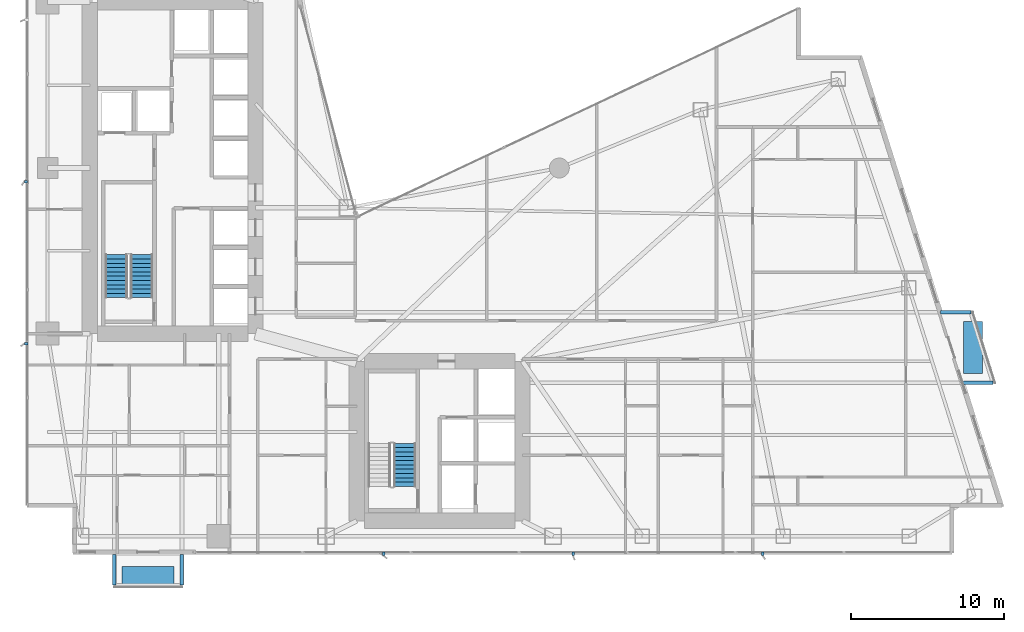
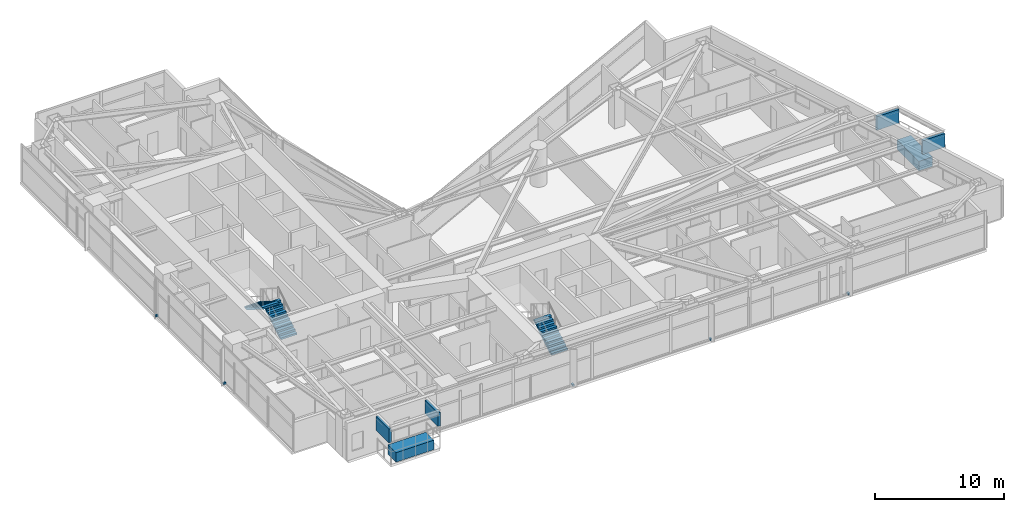
# One storey, part 26 of 29: 11 discrete accessories, 3 stair flights, 2 elements without a shape of their own.
"""IFC4 building model written with IfcOpenShell, lengths in metres."""

from ifc_helpers import new_model, si_unit, direction, frame, origin, origin_2d, place, context, subcontext, project, spatial, polyline, rectangle, outline, extrude, material, type_object, element, aggregate, save


model = new_model("IFC4")

# Units and contexts
model_context = context("Model", 3, precision=1e-05, world=origin(), true_north=direction((0.0, 1.0)))
body_context = subcontext(model_context, "Body", "Model", "MODEL_VIEW")
ifc_project = project(units=[si_unit("LENGTHUNIT", "METRE"), si_unit("AREAUNIT", "SQUARE_METRE"), si_unit("VOLUMEUNIT", "CUBIC_METRE"), si_unit("PLANEANGLEUNIT", "RADIAN"), si_unit("MASSUNIT", "GRAM", prefix="KILO")], contexts=[model_context])

# Site, building, storey
site_placement = place(None, origin())
site = spatial("IfcSite", under=ifc_project, at=site_placement, CompositionType="ELEMENT")
building_placement = place(site_placement, origin())
building = spatial("IfcBuilding", under=site, at=building_placement, Name="Calvorn Quay Hotel", CompositionType="ELEMENT")
storey_placement = place(building_placement, frame((0.0, 0.0, 34.60009765625)))
storey = spatial("IfcBuildingStorey", under=building, at=storey_placement, Name="L07", CompositionType="ELEMENT", Elevation=34.60009765625)

# Stair, stair flights
ifc_material_1 = material(Name="Concrete C40", Category="concrete")
stair_type = type_object("IfcStairType", Name="STR-CORE-DOGLEG", PredefinedType="HALF_TURN_STAIR", material=ifc_material_1)
stair_1_placement = place(storey_placement, origin())
stair_1 = element("IfcStair", 1, at=stair_1_placement, inside=storey, type_object=stair_type, Name="L07 ST-W", PredefinedType="HALF_TURN_STAIR")
ifc_material_2 = material(Name="Concrete C40", Category="concrete")
stair_flight_type = type_object("IfcStairFlightType", Name="FLT-CORE-1550", PredefinedType="STRAIGHT", material=ifc_material_2)
stair_flight_1_placement = place(storey_placement, frame((7.574951171875, 19.14990234375, 0.0), z_axis=(0.0, 0.0, 1.0), x_axis=(0.0, 1.0, 0.0)))
stair_flight_1 = element("IfcStairFlight", 2, at=stair_flight_1_placement, type_object=stair_flight_type, Name="ST-W flight 1", NumberOfRisers=11, NumberOfTreads=10, PredefinedType="STRAIGHT", RiserHeight=0.172727273, TreadLength=0.28, context=body_context, shape_type="SweptSolid", body=[
    extrude(outline(polyline([(0.0, 0.0), (0.0, 0.172607421875), (0.280029296875, 0.172607421875), (0.280029296875, 0.345458984375), (0.56005859375, 0.345458984375), (0.56005859375, 0.51806640625), (0.840087890625, 0.51806640625), (0.840087890625, 0.69091796875), (1.1201171875, 0.69091796875), (1.1201171875, 0.863525390625), (1.39990234375, 0.863525390625), (1.39990234375, 1.036376953125), (1.679931640625, 1.036376953125), (1.679931640625, 1.208984375), (1.9599609375, 1.208984375), (1.9599609375, 1.3818359375), (2.239990234375, 1.3818359375), (2.239990234375, 1.554443359375), (2.52001953125, 1.554443359375), (2.52001953125, 1.727294921875), (2.800048828125, 1.727294921875), (2.800048828125, 1.89990234375), (2.800048828125, 1.551025390625), (0.285400390625, 0.0), (0.0, 0.0)])), frame((0.0, 0.72509765625, 0.0), z_axis=(0.0, -1.0, 0.0), x_axis=(1.0, 0.0, 0.0)), (0.0, 0.0, 1.0), 1.449951171875),
])
stair_flight_2_placement = place(storey_placement, frame((5.925048828125, 21.949951171875, 1.89990234375), z_axis=(0.0, 0.0, 1.0), x_axis=(0.0, -1.0, 0.0)))
stair_flight_2 = element("IfcStairFlight", 3, at=stair_flight_2_placement, type_object=stair_flight_type, Name="ST-W flight 2", NumberOfRisers=11, NumberOfTreads=10, PredefinedType="STRAIGHT", RiserHeight=0.172727273, TreadLength=0.28, context=body_context, shape_type="SweptSolid", body=[
    extrude(outline(polyline([(0.0, 0.0), (0.0, 0.172607421875), (0.280029296875, 0.172607421875), (0.280029296875, 0.345458984375), (0.56005859375, 0.345458984375), (0.56005859375, 0.51806640625), (0.840087890625, 0.51806640625), (0.840087890625, 0.69091796875), (1.1201171875, 0.69091796875), (1.1201171875, 0.863525390625), (1.39990234375, 0.863525390625), (1.39990234375, 1.036376953125), (1.679931640625, 1.036376953125), (1.679931640625, 1.208984375), (1.9599609375, 1.208984375), (1.9599609375, 1.3818359375), (2.239990234375, 1.3818359375), (2.239990234375, 1.554443359375), (2.52001953125, 1.554443359375), (2.52001953125, 1.727294921875), (2.800048828125, 1.727294921875), (2.800048828125, 1.89990234375), (2.800048828125, 1.551025390625), (0.285400390625, 0.0), (0.0, 0.0)])), frame((0.0, 0.72509765625, 0.0), z_axis=(0.0, -1.0, 0.0), x_axis=(1.0, 0.0, 0.0)), (0.0, 0.0, 1.0), 1.449951171875),
])
aggregate(stair_1, [stair_flight_1, stair_flight_2])

# Stair, stair flight
stair_2_placement = place(storey_placement, origin())
stair_2 = element("IfcStair", 4, at=stair_2_placement, inside=storey, type_object=stair_type, Name="L07 ST-E", PredefinedType="HALF_TURN_STAIR")
stair_flight_3_placement = place(storey_placement, frame((24.72509765625, 6.85009765625, 0.0), z_axis=(0.0, 0.0, 1.0), x_axis=(0.0, 1.0, 0.0)))
stair_flight_3 = element("IfcStairFlight", 5, at=stair_flight_3_placement, type_object=stair_flight_type, Name="ST-E flight 1", NumberOfRisers=11, NumberOfTreads=10, PredefinedType="STRAIGHT", RiserHeight=0.172727273, TreadLength=0.28, context=body_context, shape_type="SweptSolid", body=[
    extrude(outline(polyline([(0.0, 0.0), (0.0, 0.172607421875), (0.280029296875, 0.172607421875), (0.280029296875, 0.345458984375), (0.56005859375, 0.345458984375), (0.56005859375, 0.51806640625), (0.840087890625, 0.51806640625), (0.840087890625, 0.69091796875), (1.1201171875, 0.69091796875), (1.1201171875, 0.863525390625), (1.39990234375, 0.863525390625), (1.39990234375, 1.036376953125), (1.679931640625, 1.036376953125), (1.679931640625, 1.208984375), (1.9599609375, 1.208984375), (1.9599609375, 1.3818359375), (2.239990234375, 1.3818359375), (2.239990234375, 1.554443359375), (2.52001953125, 1.554443359375), (2.52001953125, 1.727294921875), (2.800048828125, 1.727294921875), (2.800048828125, 1.89990234375), (2.800048828125, 1.551025390625), (0.285400390625, 0.0), (0.0, 0.0)])), frame((0.0, 0.72509765625, 0.0), z_axis=(0.0, -1.0, 0.0), x_axis=(1.0, 0.0, 0.0)), (0.0, 0.0, 1.0), 1.449951171875),
])
aggregate(stair_2, [stair_flight_3])

# Discrete accessories
ifc_material_3 = material(Name="Steel Q355B", Category="steel")
discrete_accessory_type_1 = type_object("IfcDiscreteAccessoryType", Name="ACC-BALC-STRUT", PredefinedType="BRACKET", material=ifc_material_3)
for number, where, z_axis, x_axis, name in (
    (6, (62.073974609375, 13.60009765625, 2.0146484375), (0.0, 0.0, 1.0), (1.0, 0.0, 0.0), "Exterior Balcony Steel Bracket L08-BALC-E-A"),
    (7, (60.625, 18.199951171875, 2.0146484375), (0.0, 0.0, 1.0), (1.0, 0.0, 0.0), "Exterior Balcony Steel Bracket L08-BALC-E-B"),
):
    element("IfcDiscreteAccessory", number, at=place(storey_placement, frame(where, z_axis=z_axis, x_axis=x_axis)), inside=storey, type_object=discrete_accessory_type_1, Name=name, PredefinedType="BRACKET", context=body_context, shape_type="SweptSolid", body=[
        extrude(rectangle(XDim=1.989990234375, YDim=0.219970703125, at=origin_2d()), origin(), (0.0, 0.0, 1.0), 1.300048828125),
    ])
for number, where, z_axis, x_axis, name in (
    (8, (5.800048828125, 1.405029296875, 2.0146484375), (0.0, 0.0, 1.0), (1.0, 0.0, 0.0), "Exterior Balcony Steel Bracket L08-BALC-S-A"),
    (9, (10.199951171875, 1.405029296875, 2.0146484375), (0.0, 0.0, 1.0), (1.0, 0.0, 0.0), "Exterior Balcony Steel Bracket L08-BALC-S-B"),
):
    element("IfcDiscreteAccessory", number, at=place(storey_placement, frame(where, z_axis=z_axis, x_axis=x_axis)), inside=storey, type_object=discrete_accessory_type_1, Name=name, PredefinedType="BRACKET", context=body_context, shape_type="SweptSolid", body=[
        extrude(rectangle(XDim=0.219970703125, YDim=1.989990234375, at=origin_2d()), origin(), (0.0, 0.0, 1.0), 1.300048828125),
    ])
ifc_material_4 = material(Name="Steel Q355B", Category="steel")
discrete_accessory_type_2 = type_object("IfcDiscreteAccessoryType", Name="ACC-FIN-BRACKET", PredefinedType="BRACKET", material=ifc_material_4)
for number, where, z_axis, x_axis, name in (
    (10, (0.06005859375, 16.14990234375, 0.02978515625), (0.0, 0.0, 1.0), (1.0, 0.0, 0.0), "Fin Anchor Bracket L07-W01"),
    (11, (0.06005859375, 26.699951171875, 0.02978515625), (0.0, 0.0, 1.0), (1.0, 0.0, 0.0), "Fin Anchor Bracket L07-W02"),
    (12, (23.35009765625, 2.4599609375, 0.02978515625), (0.0, 0.0, 1.0), (0.0, 1.0, 0.0), "Fin Anchor Bracket L07-S01"),
    (13, (35.699951171875, 2.4599609375, 0.02978515625), (0.0, 0.0, 1.0), (0.0, 1.0, 0.0), "Fin Anchor Bracket L07-S02"),
    (14, (48.050048828125, 2.4599609375, 0.02978515625), (0.0, 0.0, 1.0), (0.0, 1.0, 0.0), "Fin Anchor Bracket L07-S03"),
):
    element("IfcDiscreteAccessory", number, at=place(storey_placement, frame(where, z_axis=z_axis, x_axis=x_axis)), inside=storey, type_object=discrete_accessory_type_2, Name=name, PredefinedType="BRACKET", context=body_context, shape_type="SweptSolid", body=[
        extrude(rectangle(XDim=0.239990234375, YDim=0.159912109375, at=origin_2d()), origin(), (0.0, 0.0, 1.0), 0.179931640625),
    ])
ifc_material_5 = material(Name="Precast concrete C40", Category="concrete")
discrete_accessory_type_3 = type_object("IfcDiscreteAccessoryType", Name="ACC-TREE-PLANTER", PredefinedType="USERDEFINED", material=ifc_material_5)
discrete_accessory_1_placement = place(storey_placement, frame((61.763916015625, 15.89990234375, 0.0), z_axis=(0.0, 0.0, 1.0), x_axis=(1.0, 0.0, 0.0)))
element("IfcDiscreteAccessory", 15, at=discrete_accessory_1_placement, inside=storey, type_object=discrete_accessory_type_3, Name="Subtropical Tree Structural Planter L07-BALC-E", ObjectType="PLANTER", PredefinedType="USERDEFINED", context=body_context, shape_type="SweptSolid", body=[
    extrude(rectangle(XDim=1.25, YDim=3.39990234375, at=origin_2d()), origin(), (0.0, 0.0, 1.0), 0.89990234375),
])
discrete_accessory_2_placement = place(storey_placement, frame((8.0, 0.989990234375, 0.0), z_axis=(0.0, 0.0, 1.0), x_axis=(1.0, 0.0, 0.0)))
element("IfcDiscreteAccessory", 16, at=discrete_accessory_2_placement, inside=storey, type_object=discrete_accessory_type_3, Name="Subtropical Tree Structural Planter L07-BALC-S", ObjectType="PLANTER", PredefinedType="USERDEFINED", context=body_context, shape_type="SweptSolid", body=[
    extrude(rectangle(XDim=3.39990234375, YDim=1.25, at=origin_2d()), origin(), (0.0, 0.0, 1.0), 0.89990234375),
])

save(model, "model.ifc")
